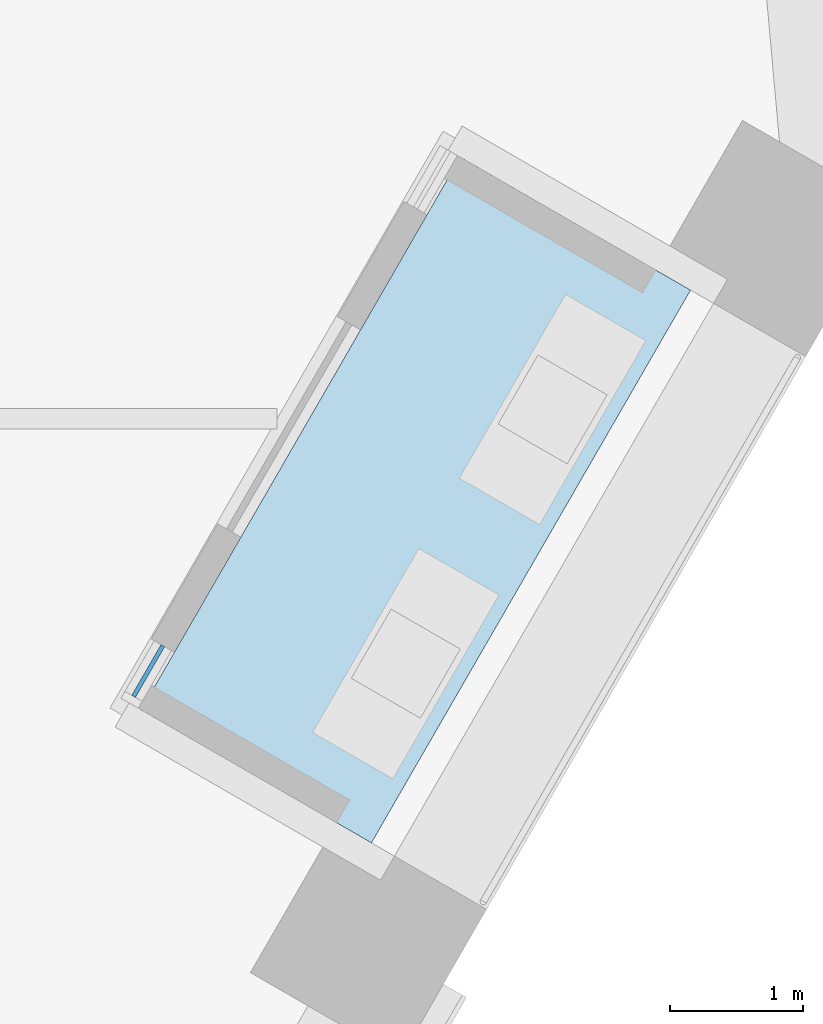
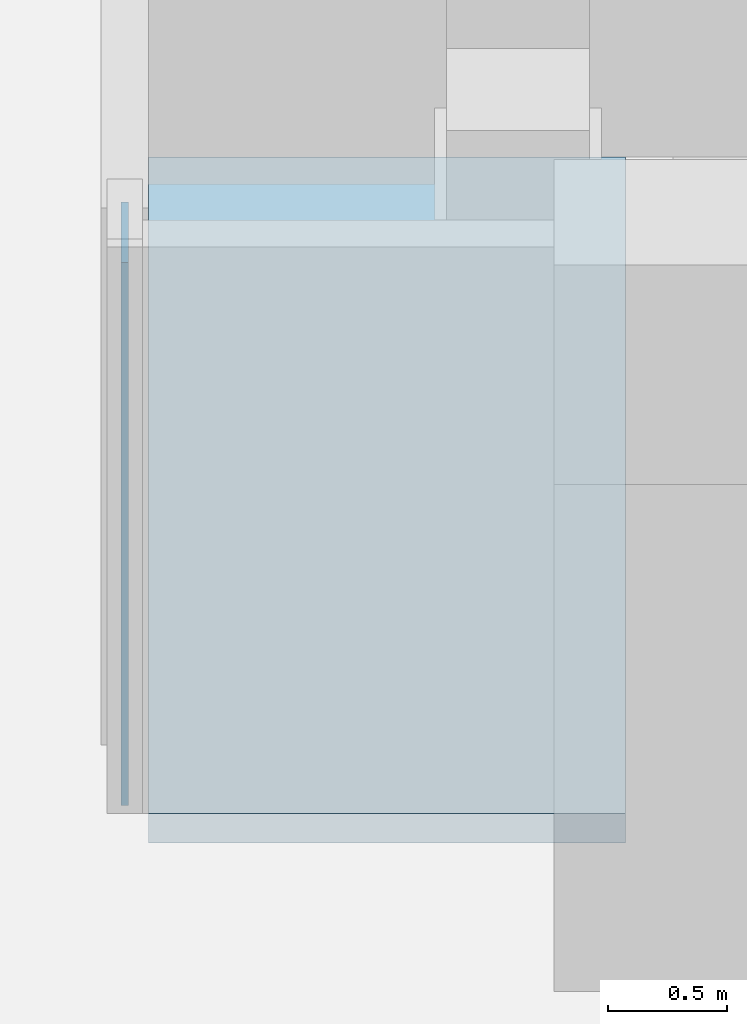
# One storey, part 15 of 26: 1 plate, 1 slab, 1 element without a shape of its own.
"""IFC4 building model written with IfcOpenShell, lengths in metres."""

from ifc_helpers import new_model, si_unit, direction, frame, origin, origin_2d, place, context, subcontext, project, spatial, polyline, rectangle, outline, extrude, material, layer, layer_set, type_object, element, aggregate, save


model = new_model("IFC4")

# Units and contexts
model_context = context("Model", 3, precision=1e-05, world=origin(), true_north=direction((0.0, 1.0)))
body_context = subcontext(model_context, "Body", "Model", "MODEL_VIEW")
ifc_project = project(units=[si_unit("LENGTHUNIT", "METRE"), si_unit("AREAUNIT", "SQUARE_METRE"), si_unit("VOLUMEUNIT", "CUBIC_METRE"), si_unit("PLANEANGLEUNIT", "RADIAN"), si_unit("MASSUNIT", "GRAM", prefix="KILO")], contexts=[model_context])

# Site, building, storey
site_placement = place(None, origin())
site = spatial("IfcSite", under=ifc_project, at=site_placement, CompositionType="ELEMENT")
building_placement = place(site_placement, origin())
building = spatial("IfcBuilding", under=site, at=building_placement, Name="Isthmus Gate Tower", CompositionType="ELEMENT")
storey_placement = place(building_placement, frame((0.0, 0.0, 203.64990234375)))
storey = spatial("IfcBuildingStorey", under=building, at=storey_placement, Name="L51", CompositionType="ELEMENT", Elevation=203.64990234375)

# Curtain wall, plate
ifc_material_1 = material(Name="Aluminium, pale champagne anodised", Category="aluminium")
ifc_layer_1 = layer(ifc_material_1, 0.14990234375)
ifc_layer_set_1 = layer_set([ifc_layer_1], Name="CW-6 LOGGIA BACK WALL GLAZING 150 DEEP")
curtain_wall_type = type_object("IfcCurtainWallType", Name="CW-6 LOGGIA BACK WALL GLAZING 150 DEEP", PredefinedType="NOTDEFINED", material=ifc_layer_set_1)
curtain_wall_placement = place(storey_placement, origin())
curtain_wall = element("IfcCurtainWall", 1, at=curtain_wall_placement, inside=storey, type_object=curtain_wall_type, Name="CW-6 SE L51", PredefinedType="NOTDEFINED")
ifc_material_2 = material(Name="Laminated low-iron glass, clear", Category="glass")
ifc_layer_2 = layer(ifc_material_2, 0.031982421875)
ifc_layer_set_2 = layer_set([ifc_layer_2], Name="CW-6 CLEAR GLASS LITE 32")
plate_type = type_object("IfcPlateType", Name="CW-6 CLEAR GLASS LITE 32", PredefinedType="CURTAIN_PANEL", material=ifc_layer_set_2)
plate_placement = place(storey_placement, frame((27.635009765625, -1.934814453125, 0.0), z_axis=(0.0, 0.0, 1.0), x_axis=(0.5, 0.866025403784, 0.0)))
plate = element("IfcPlate", 2, at=plate_placement, type_object=plate_type, Name="CW-6 glass lite", PredefinedType="CURTAIN_PANEL", context=body_context, shape_type="SweptSolid", body=[
    extrude(rectangle(XDim=0.43994140625, YDim=0.031982421875, at=origin_2d()), origin(), (0.0, 0.0, 1.0), 2.780029296875),
])
aggregate(curtain_wall, [plate])

# Slab
ifc_material_3 = material(Name="Concrete f'c 50 MPa", Category="concrete")
ifc_layer_3 = layer(ifc_material_3, 0.14990234375)
ifc_layer_set_3 = layer_set([ifc_layer_3], Name="LOGGIA FLOOR SLAB 150")
slab_type = type_object("IfcSlabType", Name="LOGGIA FLOOR SLAB 150", PredefinedType="FLOOR", material=ifc_layer_set_3)
slab_placement = place(storey_placement, frame((0.0, 0.0, -0.14990234375)))
element("IfcSlab", 3, at=slab_placement, inside=storey, type_object=slab_type, Name="LOGGIA FLOOR", PredefinedType="FLOOR", context=body_context, shape_type="SweptSolid", body=[
    extrude(outline(polyline([(29.313720703125, -3.227294921875), (31.713623046875, 0.9296875), (29.981689453125, 1.9296875), (27.58154296875, -2.227294921875), (29.313720703125, -3.227294921875)])), origin(), (0.0, 0.0, 1.0), 0.14990234375),
])

save(model, "model.ifc")
